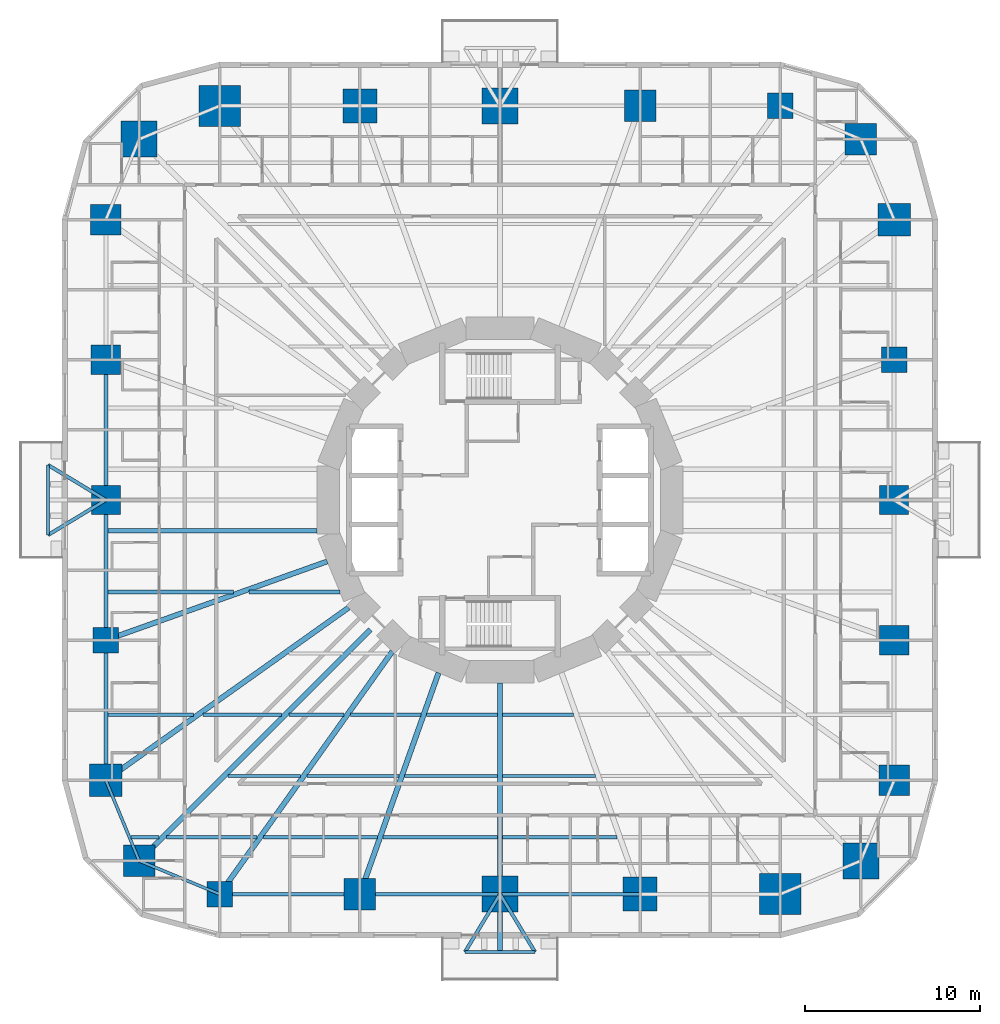
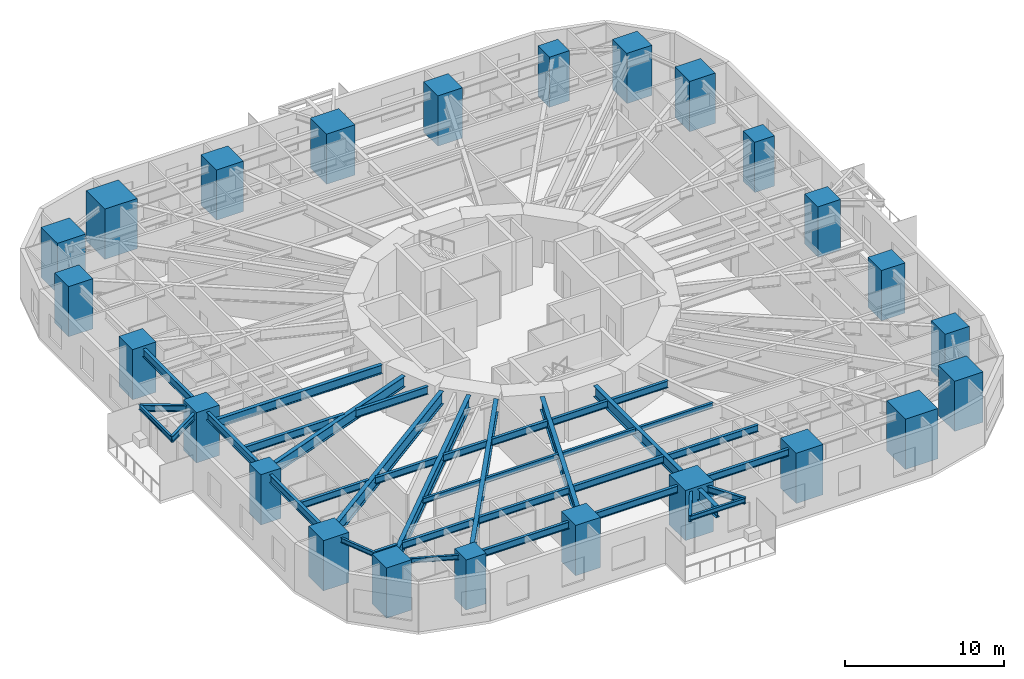
# One storey, part 1 of 14: 38 beams, 24 columns.
"""IFC4 building model written with IfcOpenShell, lengths in metres."""

from ifc_helpers import new_model, si_unit, direction, frame, origin, origin_2d, place, context, subcontext, project, spatial, rectangle, i_section, extrude, material, material_profile, profile_set, type_object, element, save


model = new_model("IFC4")

# Units and contexts
model_context = context("Model", 3, precision=1e-05, world=origin(), true_north=direction((0.0, 1.0)))
body_context = subcontext(model_context, "Body", "Model", "MODEL_VIEW")
ifc_project = project(units=[si_unit("LENGTHUNIT", "METRE"), si_unit("AREAUNIT", "SQUARE_METRE"), si_unit("VOLUMEUNIT", "CUBIC_METRE"), si_unit("PLANEANGLEUNIT", "RADIAN"), si_unit("MASSUNIT", "GRAM", prefix="KILO")], contexts=[model_context])

# Site, building, storey
site_placement = place(None, origin())
site = spatial("IfcSite", under=ifc_project, at=site_placement, CompositionType="ELEMENT")
building_placement = place(site_placement, origin())
building = spatial("IfcBuilding", under=site, at=building_placement, Name="Nakasero Lantern House", CompositionType="ELEMENT")
storey_placement = place(building_placement, frame((0.0, 0.0, 27.550048828125)))
storey = spatial("IfcBuildingStorey", under=building, at=storey_placement, Name="L06", CompositionType="ELEMENT", Elevation=27.550048828125)

# Columns
ifc_material_1 = material(Name="Concrete C50/60", Category="concrete")
ifc_material_profile_1 = material_profile(ifc_material_1, rectangle(XDim=1.800048828125, YDim=1.800048828125, at=origin_2d()), Name="RC 1800x1800")
ifc_profile_set_1 = profile_set([ifc_material_profile_1], Name="Concrete C50/60")
column_type_1 = type_object("IfcColumnType", Name="Mega column RC 1800x1800 C50/60", PredefinedType="COLUMN", material=ifc_profile_set_1)
for number, where, z_axis, x_axis, name in (
    (1, (20.59619140625, 20.59619140625, 0.0), (0.0, 0.0, 1.0), (1.0, 0.0, 0.0), "Column B1-C06 L06"),
    (2, (-20.59619140625, -20.59619140625, 0.0), (0.0, 0.0, 1.0), (1.0, 0.0, 0.0), "Column B1-C18 L06"),
):
    element("IfcColumn", number, at=place(storey_placement, frame(where, z_axis=z_axis, x_axis=x_axis)), inside=storey, type_object=column_type_1, Name=name, PredefinedType="COLUMN", context=body_context, shape_type="SweptSolid", body=[
        extrude(rectangle(XDim=1.800048828125, YDim=1.800048828125, at=origin_2d()), origin(), (0.0, 0.0, 1.0), 3.849853515625),
    ])
ifc_material_2 = material(Name="Concrete C50/60", Category="concrete")
ifc_material_profile_2 = material_profile(ifc_material_2, rectangle(XDim=2.050048828125, YDim=2.050048828125, at=origin_2d()), Name="RC 2050x2050")
ifc_profile_set_2 = profile_set([ifc_material_profile_2], Name="Concrete C50/60")
column_type_2 = type_object("IfcColumnType", Name="Mega column RC 2050x2050 C50/60", PredefinedType="COLUMN", material=ifc_profile_set_2)
for number, where, z_axis, x_axis, name in (
    (3, (-20.59619140625, 20.59619140625, 0.0), (0.0, 0.0, 1.0), (1.0, 0.0, 0.0), "Column B1-C12 L06"),
    (4, (20.59619140625, -20.59619140625, 0.0), (0.0, 0.0, 1.0), (1.0, 0.0, 0.0), "Column B1-C24 L06"),
):
    element("IfcColumn", number, at=place(storey_placement, frame(where, z_axis=z_axis, x_axis=x_axis)), inside=storey, type_object=column_type_2, Name=name, PredefinedType="COLUMN", context=body_context, shape_type="SweptSolid", body=[
        extrude(rectangle(XDim=2.050048828125, YDim=2.050048828125, at=origin_2d()), origin(), (0.0, 0.0, 1.0), 3.849853515625),
    ])
ifc_material_3 = material(Name="Concrete C50/60", Category="concrete")
ifc_material_profile_3 = material_profile(ifc_material_3, rectangle(XDim=1.449951171875, YDim=1.449951171875, at=origin_2d()), Name="RC 1450x1450")
ifc_profile_set_3 = profile_set([ifc_material_profile_3], Name="Concrete C50/60")
column_type_3 = type_object("IfcColumnType", Name="Ring column RC 1450x1450 C50/60", PredefinedType="COLUMN", material=ifc_profile_set_3)
for number, where, z_axis, x_axis, name in (
    (5, (22.5, 8.0, 0.0), (0.0, 0.0, 1.0), (1.0, 0.0, 0.0), "Column B1-C04 L06"),
    (6, (16.0, 22.5, 0.0), (0.0, 0.0, 1.0), (1.0, 0.0, 0.0), "Column B1-C07 L06"),
    (7, (-22.5, -8.0, 0.0), (0.0, 0.0, 1.0), (1.0, 0.0, 0.0), "Column B1-C16 L06"),
    (8, (-16.0, -22.5, 0.0), (0.0, 0.0, 1.0), (1.0, 0.0, 0.0), "Column B1-C19 L06"),
):
    element("IfcColumn", number, at=place(storey_placement, frame(where, z_axis=z_axis, x_axis=x_axis)), inside=storey, type_object=column_type_3, Name=name, PredefinedType="COLUMN", context=body_context, shape_type="SweptSolid", body=[
        extrude(rectangle(XDim=1.449951171875, YDim=1.449951171875, at=origin_2d()), origin(), (0.0, 0.0, 1.0), 3.849853515625),
    ])
ifc_material_4 = material(Name="Concrete C50/60", Category="concrete")
ifc_material_profile_4 = material_profile(ifc_material_4, rectangle(XDim=1.64990234375, YDim=1.64990234375, at=origin_2d()), Name="RC 1650x1650")
ifc_profile_set_4 = profile_set([ifc_material_profile_4], Name="Concrete C50/60")
column_type_4 = type_object("IfcColumnType", Name="Ring column RC 1650x1650 C50/60", PredefinedType="COLUMN", material=ifc_profile_set_4)
for number, where, z_axis, x_axis, name in (
    (9, (22.5, 0.0, 0.0), (0.0, 0.0, 1.0), (1.0, 0.0, 0.0), "Column B1-C03 L06"),
    (10, (-22.5, 0.0, 0.0), (0.0, 0.0, 1.0), (1.0, 0.0, 0.0), "Column B1-C15 L06"),
):
    element("IfcColumn", number, at=place(storey_placement, frame(where, z_axis=z_axis, x_axis=x_axis)), inside=storey, type_object=column_type_4, Name=name, PredefinedType="COLUMN", context=body_context, shape_type="SweptSolid", body=[
        extrude(rectangle(XDim=1.64990234375, YDim=1.64990234375, at=origin_2d()), origin(), (0.0, 0.0, 1.0), 3.849853515625),
    ])
ifc_material_5 = material(Name="Concrete C50/60", Category="concrete")
ifc_material_profile_5 = material_profile(ifc_material_5, rectangle(XDim=1.699951171875, YDim=1.699951171875, at=origin_2d()), Name="RC 1700x1700")
ifc_profile_set_5 = profile_set([ifc_material_profile_5], Name="Concrete C50/60")
column_type_5 = type_object("IfcColumnType", Name="Ring column RC 1700x1700 C50/60", PredefinedType="COLUMN", material=ifc_profile_set_5)
for number, where, z_axis, x_axis, name in (
    (11, (22.5, -8.0, 0.0), (0.0, 0.0, 1.0), (1.0, 0.0, 0.0), "Column B1-C02 L06"),
    (12, (-22.5, 8.0, 0.0), (0.0, 0.0, 1.0), (1.0, 0.0, 0.0), "Column B1-C14 L06"),
):
    element("IfcColumn", number, at=place(storey_placement, frame(where, z_axis=z_axis, x_axis=x_axis)), inside=storey, type_object=column_type_5, Name=name, PredefinedType="COLUMN", context=body_context, shape_type="SweptSolid", body=[
        extrude(rectangle(XDim=1.699951171875, YDim=1.699951171875, at=origin_2d()), origin(), (0.0, 0.0, 1.0), 3.849853515625),
    ])
ifc_material_6 = material(Name="Concrete C50/60", Category="concrete")
ifc_material_profile_6 = material_profile(ifc_material_6, rectangle(XDim=1.75, YDim=1.75, at=origin_2d()), Name="RC 1750x1750")
ifc_profile_set_6 = profile_set([ifc_material_profile_6], Name="Concrete C50/60")
column_type_6 = type_object("IfcColumnType", Name="Ring column RC 1750x1750 C50/60", PredefinedType="COLUMN", material=ifc_profile_set_6)
for number, where, z_axis, x_axis, name in (
    (13, (22.5, -16.0, 0.0), (0.0, 0.0, 1.0), (1.0, 0.0, 0.0), "Column B1-C01 L06"),
    (14, (-22.5, 16.0, 0.0), (0.0, 0.0, 1.0), (1.0, 0.0, 0.0), "Column B1-C13 L06"),
):
    element("IfcColumn", number, at=place(storey_placement, frame(where, z_axis=z_axis, x_axis=x_axis)), inside=storey, type_object=column_type_6, Name=name, PredefinedType="COLUMN", context=body_context, shape_type="SweptSolid", body=[
        extrude(rectangle(XDim=1.75, YDim=1.75, at=origin_2d()), origin(), (0.0, 0.0, 1.0), 3.849853515625),
    ])
ifc_material_7 = material(Name="Concrete C50/60", Category="concrete")
ifc_material_profile_7 = material_profile(ifc_material_7, rectangle(XDim=1.800048828125, YDim=1.800048828125, at=origin_2d()), Name="RC 1800x1800")
ifc_profile_set_7 = profile_set([ifc_material_profile_7], Name="Concrete C50/60")
column_type_7 = type_object("IfcColumnType", Name="Ring column RC 1800x1800 C50/60", PredefinedType="COLUMN", material=ifc_profile_set_7)
for number, where, z_axis, x_axis, name in (
    (15, (8.0, 22.5, 0.0), (0.0, 0.0, 1.0), (1.0, 0.0, 0.0), "Column B1-C08 L06"),
    (16, (-8.0, -22.5, 0.0), (0.0, 0.0, 1.0), (1.0, 0.0, 0.0), "Column B1-C20 L06"),
):
    element("IfcColumn", number, at=place(storey_placement, frame(where, z_axis=z_axis, x_axis=x_axis)), inside=storey, type_object=column_type_7, Name=name, PredefinedType="COLUMN", context=body_context, shape_type="SweptSolid", body=[
        extrude(rectangle(XDim=1.800048828125, YDim=1.800048828125, at=origin_2d()), origin(), (0.0, 0.0, 1.0), 3.849853515625),
    ])
ifc_material_8 = material(Name="Concrete C50/60", Category="concrete")
ifc_material_profile_8 = material_profile(ifc_material_8, rectangle(XDim=1.85009765625, YDim=1.85009765625, at=origin_2d()), Name="RC 1850x1850")
ifc_profile_set_8 = profile_set([ifc_material_profile_8], Name="Concrete C50/60")
column_type_8 = type_object("IfcColumnType", Name="Ring column RC 1850x1850 C50/60", PredefinedType="COLUMN", material=ifc_profile_set_8)
for number, where, z_axis, x_axis, name in (
    (17, (22.5, 16.0, 0.0), (0.0, 0.0, 1.0), (1.0, 0.0, 0.0), "Column B1-C05 L06"),
    (18, (-22.5, -16.0, 0.0), (0.0, 0.0, 1.0), (1.0, 0.0, 0.0), "Column B1-C17 L06"),
):
    element("IfcColumn", number, at=place(storey_placement, frame(where, z_axis=z_axis, x_axis=x_axis)), inside=storey, type_object=column_type_8, Name=name, PredefinedType="COLUMN", context=body_context, shape_type="SweptSolid", body=[
        extrude(rectangle(XDim=1.85009765625, YDim=1.85009765625, at=origin_2d()), origin(), (0.0, 0.0, 1.0), 3.849853515625),
    ])
ifc_material_9 = material(Name="Concrete C50/60", Category="concrete")
ifc_material_profile_9 = material_profile(ifc_material_9, rectangle(XDim=1.949951171875, YDim=1.949951171875, at=origin_2d()), Name="RC 1950x1950")
ifc_profile_set_9 = profile_set([ifc_material_profile_9], Name="Concrete C50/60")
column_type_9 = type_object("IfcColumnType", Name="Ring column RC 1950x1950 C50/60", PredefinedType="COLUMN", material=ifc_profile_set_9)
for number, where, z_axis, x_axis, name in (
    (19, (-8.0, 22.5, 0.0), (0.0, 0.0, 1.0), (1.0, 0.0, 0.0), "Column B1-C10 L06"),
    (20, (8.0, -22.5, 0.0), (0.0, 0.0, 1.0), (1.0, 0.0, 0.0), "Column B1-C22 L06"),
):
    element("IfcColumn", number, at=place(storey_placement, frame(where, z_axis=z_axis, x_axis=x_axis)), inside=storey, type_object=column_type_9, Name=name, PredefinedType="COLUMN", context=body_context, shape_type="SweptSolid", body=[
        extrude(rectangle(XDim=1.949951171875, YDim=1.949951171875, at=origin_2d()), origin(), (0.0, 0.0, 1.0), 3.849853515625),
    ])
ifc_material_10 = material(Name="Concrete C50/60", Category="concrete")
ifc_material_profile_10 = material_profile(ifc_material_10, rectangle(XDim=2.050048828125, YDim=2.050048828125, at=origin_2d()), Name="RC 2050x2050")
ifc_profile_set_10 = profile_set([ifc_material_profile_10], Name="Concrete C50/60")
column_type_10 = type_object("IfcColumnType", Name="Ring column RC 2050x2050 C50/60", PredefinedType="COLUMN", material=ifc_profile_set_10)
for number, where, z_axis, x_axis, name in (
    (21, (0.0, 22.5, 0.0), (0.0, 0.0, 1.0), (1.0, 0.0, 0.0), "Column B1-C09 L06"),
    (22, (0.0, -22.5, 0.0), (0.0, 0.0, 1.0), (1.0, 0.0, 0.0), "Column B1-C21 L06"),
):
    element("IfcColumn", number, at=place(storey_placement, frame(where, z_axis=z_axis, x_axis=x_axis)), inside=storey, type_object=column_type_10, Name=name, PredefinedType="COLUMN", context=body_context, shape_type="SweptSolid", body=[
        extrude(rectangle(XDim=2.050048828125, YDim=2.050048828125, at=origin_2d()), origin(), (0.0, 0.0, 1.0), 3.849853515625),
    ])
ifc_material_11 = material(Name="Concrete C50/60", Category="concrete")
ifc_material_profile_11 = material_profile(ifc_material_11, rectangle(XDim=2.35009765625, YDim=2.35009765625, at=origin_2d()), Name="RC 2350x2350")
ifc_profile_set_11 = profile_set([ifc_material_profile_11], Name="Concrete C50/60")
column_type_11 = type_object("IfcColumnType", Name="Ring column RC 2350x2350 C50/60", PredefinedType="COLUMN", material=ifc_profile_set_11)
for number, where, z_axis, x_axis, name in (
    (23, (-16.0, 22.5, 0.0), (0.0, 0.0, 1.0), (1.0, 0.0, 0.0), "Column B1-C11 L06"),
    (24, (16.0, -22.5, 0.0), (0.0, 0.0, 1.0), (1.0, 0.0, 0.0), "Column B1-C23 L06"),
):
    element("IfcColumn", number, at=place(storey_placement, frame(where, z_axis=z_axis, x_axis=x_axis)), inside=storey, type_object=column_type_11, Name=name, PredefinedType="COLUMN", context=body_context, shape_type="SweptSolid", body=[
        extrude(rectangle(XDim=2.35009765625, YDim=2.35009765625, at=origin_2d()), origin(), (0.0, 0.0, 1.0), 3.849853515625),
    ])

# Beams
ifc_material_12 = material(Name="Steel S355", Category="steel")
ifc_material_profile_12 = material_profile(ifc_material_12, i_section(OverallWidth=0.199462890625, OverallDepth=0.491943359375, WebThickness=0.01806640625, FlangeThickness=0.031982421875, FilletRadius=0.01025390625, at=origin_2d()), Name="UB 457x191x161")
ifc_profile_set_12 = profile_set([ifc_material_profile_12], Name="Steel S355")
beam_type_1 = type_object("IfcBeamType", Name="Balcony splay beam UB 457x191x161", PredefinedType="BEAM", material=ifc_profile_set_12)
for number, where, z_axis, x_axis, name in (
    (25, (-22.5, 0.0, 3.404052734375), (-0.855201230787, -0.518296107317, 0.0), (0.518296107317, -0.855201230787, 0.0), "Balcony splay beam L07 B1-C15A"),
    (26, (-22.5, 0.0, 3.404052734375), (-0.855201230787, 0.518296107317, 0.0), (-0.518296107317, -0.855201230787, 0.0), "Balcony splay beam L07 B1-C15B"),
    (27, (0.0, -22.5, 3.404052734375), (0.518296107317, -0.855201230787, 0.0), (0.855201230787, 0.518296107317, 0.0), "Balcony splay beam L07 B1-C21A"),
    (28, (0.0, -22.5, 3.404052734375), (-0.518296107317, -0.855201230787, 0.0), (0.855201230787, -0.518296107317, 0.0), "Balcony splay beam L07 B1-C21B"),
):
    element("IfcBeam", number, at=place(storey_placement, frame(where, z_axis=z_axis, x_axis=x_axis)), inside=storey, type_object=beam_type_1, Name=name, PredefinedType="BEAM", context=body_context, shape_type="SweptSolid", body=[
        extrude(i_section(OverallWidth=0.199462890625, OverallDepth=0.491943359375, WebThickness=0.01806640625, FlangeThickness=0.031982421875, FilletRadius=0.01025390625, at=origin_2d()), origin(), (0.0, 0.0, 1.0), 3.85888671875),
    ])
ifc_material_13 = material(Name="Steel S355", Category="steel")
ifc_material_profile_13 = material_profile(ifc_material_13, i_section(OverallWidth=0.17138671875, OverallDepth=0.35498046875, WebThickness=0.00732421875, FlangeThickness=0.011474609375, FilletRadius=0.01025390625, at=origin_2d()), Name="UB 356x171x51")
ifc_profile_set_13 = profile_set([ifc_material_profile_13], Name="Steel S355")
beam_type_2 = type_object("IfcBeamType", Name="Balcony tie beam UB 356x171x51", PredefinedType="BEAM", material=ifc_profile_set_13)
for number, where, z_axis, x_axis, name in (
    (29, (-25.800048828125, -2.0, 3.472412109375), (0.0, 1.0, 0.0), (-1.0, 0.0, 0.0), "Balcony tie beam L07 B1-C15"),
    (30, (2.0, -25.800048828125, 3.472412109375), (-1.0, 0.0, 0.0), (0.0, -1.0, 0.0), "Balcony tie beam L07 B1-C21"),
):
    element("IfcBeam", number, at=place(storey_placement, frame(where, z_axis=z_axis, x_axis=x_axis)), inside=storey, type_object=beam_type_2, Name=name, PredefinedType="BEAM", context=body_context, shape_type="SweptSolid", body=[
        extrude(i_section(OverallWidth=0.17138671875, OverallDepth=0.35498046875, WebThickness=0.00732421875, FlangeThickness=0.011474609375, FilletRadius=0.01025390625, at=origin_2d()), origin(), (0.0, 0.0, 1.0), 4.0),
    ])
ifc_material_14 = material(Name="Steel S355", Category="steel")
ifc_material_profile_14 = material_profile(ifc_material_14, i_section(OverallWidth=0.177978515625, OverallDepth=0.406494140625, WebThickness=0.0078125, FlangeThickness=0.0126953125, FilletRadius=0.01025390625, at=origin_2d()), Name="UB 406x178x60")
ifc_profile_set_14 = profile_set([ifc_material_profile_14], Name="Steel S355")
beam_type_3 = type_object("IfcBeamType", Name="Infill beam UB 406x178x60", PredefinedType="JOIST", material=ifc_profile_set_14)
beam_1_placement = place(storey_placement, frame((-15.537841796875, -15.75, 3.44677734375), z_axis=(1.0, 0.0, 0.0), x_axis=(0.0, 1.0, 0.0)))
element("IfcBeam", 31, at=beam_1_placement, inside=storey, type_object=beam_type_3, Name="Infill beam L07 03.1", PredefinedType="JOIST", context=body_context, shape_type="SweptSolid", body=[
    extrude(i_section(OverallWidth=0.177978515625, OverallDepth=0.406494140625, WebThickness=0.0078125, FlangeThickness=0.0126953125, FilletRadius=0.01025390625, at=origin_2d()), origin(), (0.0, 0.0, 1.0), 4.15380859375),
])
beam_2_placement = place(storey_placement, frame((-11.015869140625, -15.75, 3.44677734375), z_axis=(1.0, 0.0, 0.0), x_axis=(0.0, 1.0, 0.0)))
element("IfcBeam", 32, at=beam_2_placement, inside=storey, type_object=beam_type_3, Name="Infill beam L07 03.2", PredefinedType="JOIST", context=body_context, shape_type="SweptSolid", body=[
    extrude(i_section(OverallWidth=0.177978515625, OverallDepth=0.406494140625, WebThickness=0.0078125, FlangeThickness=0.0126953125, FilletRadius=0.01025390625, at=origin_2d()), origin(), (0.0, 0.0, 1.0), 5.256591796875),
])
for number, where, z_axis, x_axis, name in (
    (33, (-5.44091796875, -15.75, 3.44677734375), (1.0, 0.0, 0.0), (0.0, 1.0, 0.0), "Infill beam L07 03.3"),
    (34, (0.146240234375, -15.75, 3.44677734375), (1.0, 0.0, 0.0), (0.0, 1.0, 0.0), "Infill beam L07 03.4"),
):
    element("IfcBeam", number, at=place(storey_placement, frame(where, z_axis=z_axis, x_axis=x_axis)), inside=storey, type_object=beam_type_3, Name=name, PredefinedType="JOIST", context=body_context, shape_type="SweptSolid", body=[
        extrude(i_section(OverallWidth=0.177978515625, OverallDepth=0.406494140625, WebThickness=0.0078125, FlangeThickness=0.0126953125, FilletRadius=0.01025390625, at=origin_2d()), origin(), (0.0, 0.0, 1.0), 5.294677734375),
    ])
ifc_material_15 = material(Name="Steel S355", Category="steel")
ifc_material_profile_15 = material_profile(ifc_material_15, i_section(OverallWidth=0.208740234375, OverallDepth=0.5283203125, WebThickness=0.009521484375, FlangeThickness=0.01318359375, FilletRadius=0.0126953125, at=origin_2d()), Name="UB 533x210x82")
ifc_profile_set_15 = profile_set([ifc_material_profile_15], Name="Steel S355")
beam_type_4 = type_object("IfcBeamType", Name="Infill beam UB 533x210x82", PredefinedType="JOIST", material=ifc_profile_set_15)
beam_3_placement = place(storey_placement, frame((-21.06103515625, -19.25, 3.3857421875), z_axis=(1.0, 0.0, 0.0), x_axis=(0.0, 1.0, 0.0)))
element("IfcBeam", 35, at=beam_3_placement, inside=storey, type_object=beam_type_4, Name="Infill beam L07 02.1", PredefinedType="JOIST", context=body_context, shape_type="SweptSolid", body=[
    extrude(i_section(OverallWidth=0.208740234375, OverallDepth=0.5283203125, WebThickness=0.009521484375, FlangeThickness=0.01318359375, FilletRadius=0.0126953125, at=origin_2d()), origin(), (0.0, 0.0, 1.0), 1.598876953125),
])
beam_4_placement = place(storey_placement, frame((-19.037841796875, -19.25, 3.3857421875), z_axis=(1.0, 0.0, 0.0), x_axis=(0.0, 1.0, 0.0)))
element("IfcBeam", 36, at=beam_4_placement, inside=storey, type_object=beam_type_4, Name="Infill beam L07 02.2", PredefinedType="JOIST", context=body_context, shape_type="SweptSolid", body=[
    extrude(i_section(OverallWidth=0.208740234375, OverallDepth=0.5283203125, WebThickness=0.009521484375, FlangeThickness=0.01318359375, FilletRadius=0.0126953125, at=origin_2d()), origin(), (0.0, 0.0, 1.0), 5.164794921875),
])
beam_5_placement = place(storey_placement, frame((-13.5048828125, -19.25, 3.3857421875), z_axis=(1.0, 0.0, 0.0), x_axis=(0.0, 1.0, 0.0)))
element("IfcBeam", 37, at=beam_5_placement, inside=storey, type_object=beam_type_4, Name="Infill beam L07 02.3", PredefinedType="JOIST", context=body_context, shape_type="SweptSolid", body=[
    extrude(i_section(OverallWidth=0.208740234375, OverallDepth=0.5283203125, WebThickness=0.009521484375, FlangeThickness=0.01318359375, FilletRadius=0.0126953125, at=origin_2d()), origin(), (0.0, 0.0, 1.0), 6.501220703125),
])
for number, where, z_axis, x_axis, name in (
    (38, (-6.685302734375, -19.25, 3.3857421875), (1.0, 0.0, 0.0), (0.0, 1.0, 0.0), "Infill beam L07 02.4"),
    (39, (0.146240234375, -19.25, 3.3857421875), (1.0, 0.0, 0.0), (0.0, 1.0, 0.0), "Infill beam L07 02.5"),
):
    element("IfcBeam", number, at=place(storey_placement, frame(where, z_axis=z_axis, x_axis=x_axis)), inside=storey, type_object=beam_type_4, Name=name, PredefinedType="JOIST", context=body_context, shape_type="SweptSolid", body=[
        extrude(i_section(OverallWidth=0.208740234375, OverallDepth=0.5283203125, WebThickness=0.009521484375, FlangeThickness=0.01318359375, FilletRadius=0.0126953125, at=origin_2d()), origin(), (0.0, 0.0, 1.0), 6.5390625),
    ])
beam_6_placement = place(storey_placement, frame((-22.385498046875, -12.25, 3.3857421875), z_axis=(1.0, 0.0, 0.0), x_axis=(0.0, 1.0, 0.0)))
element("IfcBeam", 40, at=beam_6_placement, inside=storey, type_object=beam_type_4, Name="Infill beam L07 04.1", PredefinedType="JOIST", context=body_context, shape_type="SweptSolid", body=[
    extrude(i_section(OverallWidth=0.208740234375, OverallDepth=0.5283203125, WebThickness=0.009521484375, FlangeThickness=0.01318359375, FilletRadius=0.0126953125, at=origin_2d()), origin(), (0.0, 0.0, 1.0), 4.900146484375),
])
beam_7_placement = place(storey_placement, frame((-16.9677734375, -12.25, 3.3857421875), z_axis=(1.0, 0.0, 0.0), x_axis=(0.0, 1.0, 0.0)))
element("IfcBeam", 41, at=beam_7_placement, inside=storey, type_object=beam_type_4, Name="Infill beam L07 04.2", PredefinedType="JOIST", context=body_context, shape_type="SweptSolid", body=[
    extrude(i_section(OverallWidth=0.208740234375, OverallDepth=0.5283203125, WebThickness=0.009521484375, FlangeThickness=0.01318359375, FilletRadius=0.0126953125, at=origin_2d()), origin(), (0.0, 0.0, 1.0), 4.505615234375),
])
beam_8_placement = place(storey_placement, frame((-12.037841796875, -12.25, 3.3857421875), z_axis=(1.0, 0.0, 0.0), x_axis=(0.0, 1.0, 0.0)))
element("IfcBeam", 42, at=beam_8_placement, inside=storey, type_object=beam_type_4, Name="Infill beam L07 04.3", PredefinedType="JOIST", context=body_context, shape_type="SweptSolid", body=[
    extrude(i_section(OverallWidth=0.208740234375, OverallDepth=0.5283203125, WebThickness=0.009521484375, FlangeThickness=0.01318359375, FilletRadius=0.0126953125, at=origin_2d()), origin(), (0.0, 0.0, 1.0), 3.142578125),
])
beam_9_placement = place(storey_placement, frame((-8.527099609375, -12.25, 3.3857421875), z_axis=(1.0, 0.0, 0.0), x_axis=(0.0, 1.0, 0.0)))
element("IfcBeam", 43, at=beam_9_placement, inside=storey, type_object=beam_type_4, Name="Infill beam L07 04.4", PredefinedType="JOIST", context=body_context, shape_type="SweptSolid", body=[
    extrude(i_section(OverallWidth=0.208740234375, OverallDepth=0.5283203125, WebThickness=0.009521484375, FlangeThickness=0.01318359375, FilletRadius=0.0126953125, at=origin_2d()), origin(), (0.0, 0.0, 1.0), 4.012451171875),
])
for number, where, z_axis, x_axis, name in (
    (44, (-4.1962890625, -12.25, 3.3857421875), (1.0, 0.0, 0.0), (0.0, 1.0, 0.0), "Infill beam L07 04.5"),
    (45, (0.146240234375, -12.25, 3.3857421875), (1.0, 0.0, 0.0), (0.0, 1.0, 0.0), "Infill beam L07 04.6"),
):
    element("IfcBeam", number, at=place(storey_placement, frame(where, z_axis=z_axis, x_axis=x_axis)), inside=storey, type_object=beam_type_4, Name=name, PredefinedType="JOIST", context=body_context, shape_type="SweptSolid", body=[
        extrude(i_section(OverallWidth=0.208740234375, OverallDepth=0.5283203125, WebThickness=0.009521484375, FlangeThickness=0.01318359375, FilletRadius=0.0126953125, at=origin_2d()), origin(), (0.0, 0.0, 1.0), 4.050048828125),
    ])
ifc_material_16 = material(Name="Steel S355", Category="steel")
ifc_material_profile_16 = material_profile(ifc_material_16, i_section(OverallWidth=0.2275390625, OverallDepth=0.6025390625, WebThickness=0.010498046875, FlangeThickness=0.014892578125, FilletRadius=0.0126953125, at=origin_2d()), Name="UB 610x229x101")
ifc_profile_set_16 = profile_set([ifc_material_profile_16], Name="Steel S355")
beam_type_5 = type_object("IfcBeamType", Name="Infill beam UB 610x229x101", PredefinedType="JOIST", material=ifc_profile_set_16)
beam_10_placement = place(storey_placement, frame((-22.385498046875, -5.25, 3.3486328125), z_axis=(1.0, 0.0, 0.0), x_axis=(0.0, 1.0, 0.0)))
element("IfcBeam", 46, at=beam_10_placement, inside=storey, type_object=beam_type_5, Name="Infill beam L07 06.1", PredefinedType="JOIST", context=body_context, shape_type="SweptSolid", body=[
    extrude(i_section(OverallWidth=0.2275390625, OverallDepth=0.6025390625, WebThickness=0.010498046875, FlangeThickness=0.014892578125, FilletRadius=0.0126953125, at=origin_2d()), origin(), (0.0, 0.0, 1.0), 7.183349609375),
])
beam_11_placement = place(storey_placement, frame((-14.3291015625, -5.25, 3.3486328125), z_axis=(1.0, 0.0, 0.0), x_axis=(0.0, 1.0, 0.0)))
element("IfcBeam", 47, at=beam_11_placement, inside=storey, type_object=beam_type_5, Name="Infill beam L07 06.2", PredefinedType="JOIST", context=body_context, shape_type="SweptSolid", body=[
    extrude(i_section(OverallWidth=0.2275390625, OverallDepth=0.6025390625, WebThickness=0.010498046875, FlangeThickness=0.014892578125, FilletRadius=0.0126953125, at=origin_2d()), origin(), (0.0, 0.0, 1.0), 5.184326171875),
])
ifc_material_17 = material(Name="Steel S355", Category="steel")
ifc_material_profile_17 = material_profile(ifc_material_17, i_section(OverallWidth=0.253662109375, OverallDepth=0.68359375, WebThickness=0.012451171875, FlangeThickness=0.01904296875, FilletRadius=0.01513671875, at=origin_2d()), Name="UB 686x254x140")
ifc_profile_set_17 = profile_set([ifc_material_profile_17], Name="Steel S355")
beam_type_6 = type_object("IfcBeamType", Name="Infill beam UB 686x254x140", PredefinedType="JOIST", material=ifc_profile_set_17)
beam_12_placement = place(storey_placement, frame((-22.385498046875, -1.75, 3.30810546875), z_axis=(1.0, 0.0, 0.0), x_axis=(0.0, 1.0, 0.0)))
element("IfcBeam", 48, at=beam_12_placement, inside=storey, type_object=beam_type_6, Name="Infill beam L07 07.1", PredefinedType="JOIST", context=body_context, shape_type="SweptSolid", body=[
    extrude(i_section(OverallWidth=0.253662109375, OverallDepth=0.68359375, WebThickness=0.012451171875, FlangeThickness=0.01904296875, FilletRadius=0.01513671875, at=origin_2d()), origin(), (0.0, 0.0, 1.0), 11.927734375),
])
ifc_material_18 = material(Name="Steel S355", Category="steel")
ifc_material_profile_18 = material_profile(ifc_material_18, i_section(OverallWidth=0.300048828125, OverallDepth=0.97021484375, WebThickness=0.01611328125, FlangeThickness=0.02099609375, FilletRadius=0.030029296875, at=origin_2d()), Name="UB 1016x305x222")
ifc_profile_set_18 = profile_set([ifc_material_profile_18], Name="Steel S355")
beam_type_7 = type_object("IfcBeamType", Name="Primary beam UB 1016x305x222, span 12 to 15 m", PredefinedType="BEAM", material=ifc_profile_set_18)
beam_13_placement = place(storey_placement, frame((-8.0, -22.5, 3.164794921875), z_axis=(0.335010745293, 0.942214307118, 0.0), x_axis=(-0.942214307118, 0.335010745293, 0.0)))
element("IfcBeam", 49, at=beam_13_placement, inside=storey, type_object=beam_type_7, Name="Primary beam L07 B1-C20", PredefinedType="BEAM", context=body_context, shape_type="SweptSolid", body=[
    extrude(i_section(OverallWidth=0.300048828125, OverallDepth=0.97021484375, WebThickness=0.01611328125, FlangeThickness=0.02099609375, FilletRadius=0.030029296875, at=origin_2d()), origin(), (0.0, 0.0, 1.0), 13.408447265625),
])
ifc_material_19 = material(Name="Steel S355", Category="steel")
ifc_material_profile_19 = material_profile(ifc_material_19, i_section(OverallWidth=0.300048828125, OverallDepth=0.989990234375, WebThickness=0.0166015625, FlangeThickness=0.031005859375, FilletRadius=0.030029296875, at=origin_2d()), Name="UB 1016x305x272")
ifc_profile_set_19 = profile_set([ifc_material_profile_19], Name="Steel S355")
beam_type_8 = type_object("IfcBeamType", Name="Primary beam UB 1016x305x272, span over 15 m", PredefinedType="BEAM", material=ifc_profile_set_19)
beam_14_placement = place(storey_placement, frame((-22.5, -16.0, 3.15478515625), z_axis=(0.814952159915, 0.579528236629, 0.0), x_axis=(-0.579528236629, 0.814952159915, 0.0)))
element("IfcBeam", 50, at=beam_14_placement, inside=storey, type_object=beam_type_8, Name="Primary beam L07 B1-C17", PredefinedType="BEAM", context=body_context, shape_type="SweptSolid", body=[
    extrude(i_section(OverallWidth=0.300048828125, OverallDepth=0.989990234375, WebThickness=0.0166015625, FlangeThickness=0.031005859375, FilletRadius=0.030029296875, at=origin_2d()), origin(), (0.0, 0.0, 1.0), 17.003173828125),
])
beam_15_placement = place(storey_placement, frame((-20.59619140625, -20.59619140625, 3.15478515625), z_axis=(0.707106781187, 0.707106781187, 0.0), x_axis=(-0.707106781187, 0.707106781187, 0.0)))
element("IfcBeam", 51, at=beam_15_placement, inside=storey, type_object=beam_type_8, Name="Primary beam L07 B1-C18", PredefinedType="BEAM", context=body_context, shape_type="SweptSolid", body=[
    extrude(i_section(OverallWidth=0.300048828125, OverallDepth=0.989990234375, WebThickness=0.0166015625, FlangeThickness=0.031005859375, FilletRadius=0.030029296875, at=origin_2d()), origin(), (0.0, 0.0, 1.0), 18.669677734375),
])
ifc_material_20 = material(Name="Steel S355", Category="steel")
ifc_material_profile_20 = material_profile(ifc_material_20, i_section(OverallWidth=0.300048828125, OverallDepth=1.0, WebThickness=0.01904296875, FlangeThickness=0.035888671875, FilletRadius=0.030029296875, at=origin_2d()), Name="UB 1016x305x314")
ifc_profile_set_20 = profile_set([ifc_material_profile_20], Name="Steel S355")
beam_type_9 = type_object("IfcBeamType", Name="Primary beam UB 1016x305x314, span over 15 m", PredefinedType="BEAM", material=ifc_profile_set_20)
beam_16_placement = place(storey_placement, frame((-16.0, -22.5, 3.14990234375), z_axis=(0.579528236629, 0.814952159915, 0.0), x_axis=(-0.814952159915, 0.579528236629, 0.0)))
element("IfcBeam", 52, at=beam_16_placement, inside=storey, type_object=beam_type_9, Name="Primary beam L07 B1-C19", PredefinedType="BEAM", context=body_context, shape_type="SweptSolid", body=[
    extrude(i_section(OverallWidth=0.300048828125, OverallDepth=1.0, WebThickness=0.01904296875, FlangeThickness=0.035888671875, FilletRadius=0.030029296875, at=origin_2d()), origin(), (0.0, 0.0, 1.0), 17.003173828125),
])
ifc_material_21 = material(Name="Steel S355", Category="steel")
ifc_material_profile_21 = material_profile(ifc_material_21, i_section(OverallWidth=0.29248046875, OverallDepth=0.8408203125, WebThickness=0.0146484375, FlangeThickness=0.02685546875, FilletRadius=0.017822265625, at=origin_2d()), Name="UB 838x292x194")
ifc_profile_set_21 = profile_set([ifc_material_profile_21], Name="Steel S355")
beam_type_10 = type_object("IfcBeamType", Name="Primary beam UB 838x292x194, span 12 to 15 m", PredefinedType="BEAM", material=ifc_profile_set_21)
beam_17_placement = place(storey_placement, frame((-22.5, -8.0, 3.2294921875), z_axis=(0.942214307118, 0.335010745293, 0.0), x_axis=(-0.335010745293, 0.942214307118, 0.0)))
element("IfcBeam", 53, at=beam_17_placement, inside=storey, type_object=beam_type_10, Name="Primary beam L07 B1-C16", PredefinedType="BEAM", context=body_context, shape_type="SweptSolid", body=[
    extrude(i_section(OverallWidth=0.29248046875, OverallDepth=0.8408203125, WebThickness=0.0146484375, FlangeThickness=0.02685546875, FilletRadius=0.017822265625, at=origin_2d()), origin(), (0.0, 0.0, 1.0), 13.408447265625),
])
beam_18_placement = place(storey_placement, frame((0.0, -25.800048828125, 3.2294921875), z_axis=(0.0, 1.0, 0.0), x_axis=(-1.0, 0.0, 0.0)))
element("IfcBeam", 54, at=beam_18_placement, inside=storey, type_object=beam_type_10, Name="Primary beam L07 B1-C21", PredefinedType="BEAM", context=body_context, shape_type="SweptSolid", body=[
    extrude(i_section(OverallWidth=0.29248046875, OverallDepth=0.8408203125, WebThickness=0.0146484375, FlangeThickness=0.02685546875, FilletRadius=0.017822265625, at=origin_2d()), origin(), (0.0, 0.0, 1.0), 15.34228515625),
])
ifc_material_22 = material(Name="Steel S355", Category="steel")
ifc_material_profile_22 = material_profile(ifc_material_22, i_section(OverallWidth=0.17138671875, OverallDepth=0.35498046875, WebThickness=0.00732421875, FlangeThickness=0.011474609375, FilletRadius=0.01025390625, at=origin_2d()), Name="UB 356x171x51")
ifc_profile_set_22 = profile_set([ifc_material_profile_22], Name="Steel S355")
beam_type_11 = type_object("IfcBeamType", Name="Ring beam UB 356x171x51", PredefinedType="BEAM", material=ifc_profile_set_22)
for number, where, z_axis, x_axis, name in (
    (55, (-22.5, -16.0, 3.472412109375), (0.382684080569, -0.923879264016, 0.0), (0.923879264016, 0.382684080569, 0.0), "Ring beam L07 B1-C17"),
    (56, (-20.59619140625, -20.59619140625, 3.472412109375), (0.923879264016, -0.382684080569, 0.0), (0.382684080569, 0.923879264016, 0.0), "Ring beam L07 B1-C18"),
):
    element("IfcBeam", number, at=place(storey_placement, frame(where, z_axis=z_axis, x_axis=x_axis)), inside=storey, type_object=beam_type_11, Name=name, PredefinedType="BEAM", context=body_context, shape_type="SweptSolid", body=[
        extrude(i_section(OverallWidth=0.17138671875, OverallDepth=0.35498046875, WebThickness=0.00732421875, FlangeThickness=0.011474609375, FilletRadius=0.01025390625, at=origin_2d()), origin(), (0.0, 0.0, 1.0), 4.974853515625),
    ])
ifc_material_23 = material(Name="Steel S355", Category="steel")
ifc_material_profile_23 = material_profile(ifc_material_23, i_section(OverallWidth=0.2099609375, OverallDepth=0.53662109375, WebThickness=0.0107421875, FlangeThickness=0.017333984375, FilletRadius=0.0126953125, at=origin_2d()), Name="UB 533x210x101")
ifc_profile_set_23 = profile_set([ifc_material_profile_23], Name="Steel S355")
beam_type_12 = type_object("IfcBeamType", Name="Ring beam UB 533x210x101", PredefinedType="BEAM", material=ifc_profile_set_23)
for number, where, z_axis, x_axis, name in (
    (57, (-16.0, -22.5, 3.381591796875), (1.0, 0.0, 0.0), (0.0, 1.0, 0.0), "Ring beam L07 B1-C19"),
    (58, (-8.0, -22.5, 3.381591796875), (1.0, 0.0, 0.0), (0.0, 1.0, 0.0), "Ring beam L07 B1-C20"),
    (59, (0.0, -22.5, 3.381591796875), (1.0, 0.0, 0.0), (0.0, 1.0, 0.0), "Ring beam L07 B1-C21"),
):
    element("IfcBeam", number, at=place(storey_placement, frame(where, z_axis=z_axis, x_axis=x_axis)), inside=storey, type_object=beam_type_12, Name=name, PredefinedType="BEAM", context=body_context, shape_type="SweptSolid", body=[
        extrude(i_section(OverallWidth=0.2099609375, OverallDepth=0.53662109375, WebThickness=0.0107421875, FlangeThickness=0.017333984375, FilletRadius=0.0126953125, at=origin_2d()), origin(), (0.0, 0.0, 1.0), 8.0),
    ])
ifc_material_24 = material(Name="Steel S355", Category="steel")
ifc_material_profile_24 = material_profile(ifc_material_24, i_section(OverallWidth=0.22900390625, OverallDepth=0.6123046875, WebThickness=0.011962890625, FlangeThickness=0.01953125, FilletRadius=0.0126953125, at=origin_2d()), Name="UB 610x229x125")
ifc_profile_set_24 = profile_set([ifc_material_profile_24], Name="Steel S355")
beam_type_13 = type_object("IfcBeamType", Name="Ring beam UB 610x229x125", PredefinedType="BEAM", material=ifc_profile_set_24)
for number, where, z_axis, x_axis, name in (
    (60, (-22.5, 8.0, 3.34375), (0.0, -1.0, 0.0), (1.0, 0.0, 0.0), "Ring beam L07 B1-C14"),
    (61, (-22.5, 0.0, 3.34375), (0.0, -1.0, 0.0), (1.0, 0.0, 0.0), "Ring beam L07 B1-C15"),
    (62, (-22.5, -8.0, 3.34375), (0.0, -1.0, 0.0), (1.0, 0.0, 0.0), "Ring beam L07 B1-C16"),
):
    element("IfcBeam", number, at=place(storey_placement, frame(where, z_axis=z_axis, x_axis=x_axis)), inside=storey, type_object=beam_type_13, Name=name, PredefinedType="BEAM", context=body_context, shape_type="SweptSolid", body=[
        extrude(i_section(OverallWidth=0.22900390625, OverallDepth=0.6123046875, WebThickness=0.011962890625, FlangeThickness=0.01953125, FilletRadius=0.0126953125, at=origin_2d()), origin(), (0.0, 0.0, 1.0), 8.0),
    ])

save(model, "model.ifc")
